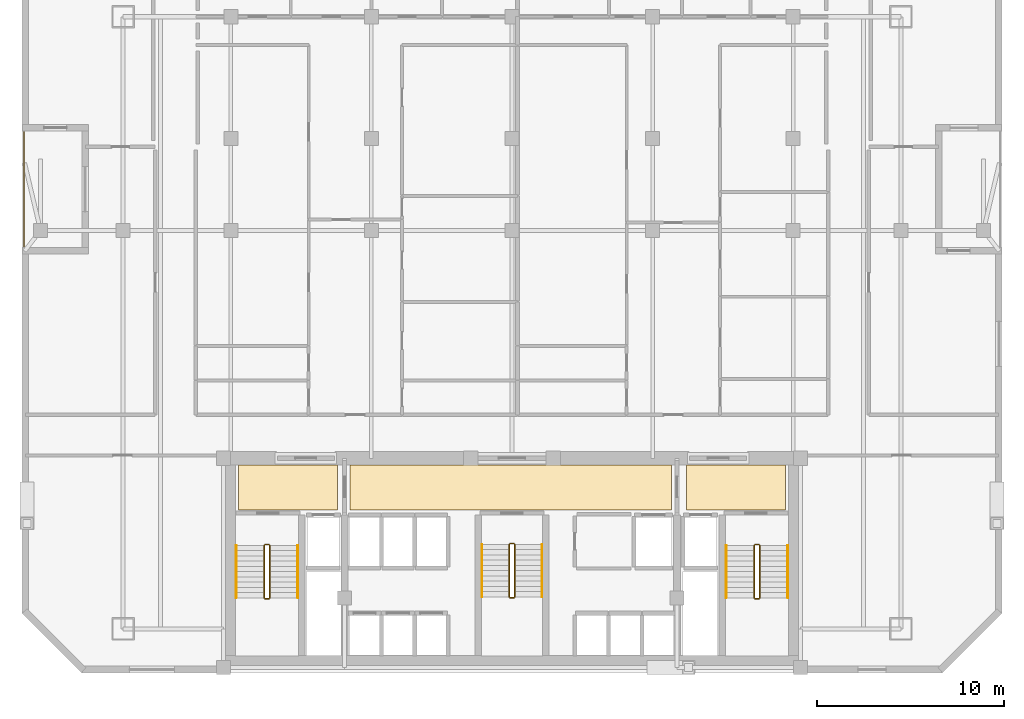
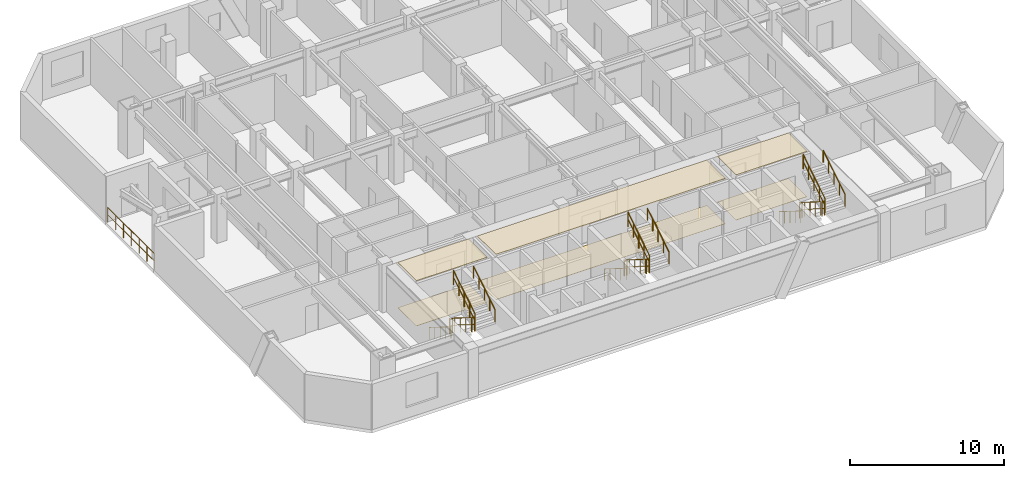
# One storey, part 8 of 9: 19 railings, 6 coverings.
"""IFC4 building model written with IfcOpenShell, lengths in metres."""

import ifcopenshell
import ifcopenshell.guid

model = None  # the IFC model being written
_history = None  # IfcOwnerHistory: only IFC2X3 demands one
_inside = {}  # id of a spatial element -> (the spatial element, [elements in it])
_under = {}  # id of a project, library or spatial element -> (it, [spatial elements below it])
_declared = {}  # id of a project -> (the project, [libraries it declares])
_typed = {}  # id of a type object -> (the type object, [elements of that type])
_made_of = {}  # id of a material, layer set ... -> (it, [elements and type objects made of it])


def new_model(schema):
    """Start an empty IFC model of exactly this schema.

    Asked for "IFC4X3", IfcOpenShell would pick the latest addendum, in which some entities
    have other attributes; the version numbers below select the first issue.
    IFC2X3 requires an IfcOwnerHistory on every rooted entity: one is made here for all.
    """
    global model, _history
    if schema == "IFC4X3":
        model = ifcopenshell.file(schema_version=(4, 3, 0, 0))
    else:
        model = ifcopenshell.file(schema=schema)
    _inside.clear()
    _under.clear()
    _declared.clear()
    _typed.clear()
    _made_of.clear()
    _history = None
    if model.schema == "IFC2X3":
        org = make("IfcOrganization", Name="unknown")
        user = make(
            "IfcPersonAndOrganization",
            ThePerson=make("IfcPerson", FamilyName="unknown"),
            TheOrganization=org,
        )
        app = make(
            "IfcApplication",
            ApplicationDeveloper=org,
            Version="unknown",
            ApplicationFullName="unknown",
            ApplicationIdentifier="unknown",
        )
        _history = make(
            "IfcOwnerHistory",
            OwningUser=user,
            OwningApplication=app,
            ChangeAction="ADDED",
            CreationDate=0,
        )
    return model


def make(cls, **values):
    """One entity of the class cls with the attributes given. An attribute that is None is left unset."""
    return model.create_entity(
        cls, **{name: value for name, value in values.items() if value is not None}
    )


def rooted(cls, **values):
    """An entity with a GlobalId (a new one), such as an element, a storey or a relation."""
    return make(cls, GlobalId=ifcopenshell.guid.new(), OwnerHistory=_history, **values)


def si_unit(unit_type, name, prefix=None):
    """IfcSIUnit, for example si_unit("LENGTHUNIT", "METRE", prefix="MILLI")."""
    return make("IfcSIUnit", UnitType=unit_type, Prefix=prefix, Name=name)


def assignment(units):
    """IfcUnitAssignment: the units of a project."""
    return None if units is None else make("IfcUnitAssignment", Units=units)


def point(xyz):
    """IfcCartesianPoint."""
    return None if xyz is None else make("IfcCartesianPoint", Coordinates=xyz)


def direction(xyz):
    """IfcDirection."""
    return None if xyz is None else make("IfcDirection", DirectionRatios=xyz)


def frame(location, z_axis=None, x_axis=None):
    """IfcAxis2Placement3D, a coordinate frame: its origin and axes. An axis left out is left unset."""
    return make(
        "IfcAxis2Placement3D",
        Location=point(location),
        Axis=direction(z_axis),
        RefDirection=direction(x_axis),
    )


def frame_2d(location, x_axis=None):
    """IfcAxis2Placement2D, a coordinate frame in the plane: its origin and x axis."""
    return make(
        "IfcAxis2Placement2D", Location=point(location), RefDirection=direction(x_axis)
    )


def origin():
    """The frame at (0, 0, 0) with its axes left unset."""
    return frame((0.0, 0.0, 0.0))


def origin_2d():
    """The frame at (0, 0) in the plane with its x axis left unset."""
    return frame_2d((0.0, 0.0))


def place(relative_to, where):
    """IfcLocalPlacement: puts the frame where relative to a parent placement (None: the world)."""
    return make(
        "IfcLocalPlacement", PlacementRelTo=relative_to, RelativePlacement=where
    )


def context(
    kind, dimensions, precision=None, world=None, true_north=None, identifier=None
):
    """IfcGeometricRepresentationContext, for example the 3D "Model" context."""
    return make(
        "IfcGeometricRepresentationContext",
        ContextIdentifier=identifier,
        ContextType=kind,
        CoordinateSpaceDimension=dimensions,
        Precision=precision,
        WorldCoordinateSystem=world,
        TrueNorth=true_north,
    )


def subcontext(parent, identifier, kind, view, scale=None):
    """IfcGeometricRepresentationSubContext, for example "Body" below "Model"."""
    return make(
        "IfcGeometricRepresentationSubContext",
        ContextIdentifier=identifier,
        ContextType=kind,
        ParentContext=parent,
        TargetScale=scale,
        TargetView=view,
    )


def project(units=None, contexts=None):
    """IfcProject with its units and contexts."""
    return rooted(
        "IfcProject",
        Name="project",
        RepresentationContexts=contexts,
        UnitsInContext=assignment(units),
    )


def spatial(cls, under=None, at=None, **own):
    """A site, building, storey or space (cls), placed at a placement, below another one or the project."""
    s = rooted(cls, ObjectPlacement=at, **own)
    if under is not None:
        _under.setdefault(under.id(), (under, []))[1].append(s)
    return s


def polyline(points):
    """IfcPolyline through the points."""
    return make("IfcPolyline", Points=[point(p) for p in points])


def profile(cls, at=None, kind="AREA", **sizes):
    """A parametric profile (cls). Its sizes go by their IFC names, for example OverallWidth=200.0."""
    return make(cls, ProfileType=kind, Position=at, **sizes)


def circle(**sizes):
    """IfcCircleProfileDef."""
    return profile("IfcCircleProfileDef", **sizes)


def outline(outer, holes=None, kind="AREA"):
    """IfcArbitraryClosedProfileDef: a profile drawn as a closed curve; with holes, ...WithVoids."""
    if holes is None:
        return make("IfcArbitraryClosedProfileDef", ProfileType=kind, OuterCurve=outer)
    return make(
        "IfcArbitraryProfileDefWithVoids",
        ProfileType=kind,
        OuterCurve=outer,
        InnerCurves=holes,
    )


def extrude(swept, where, along, depth):
    """IfcExtrudedAreaSolid: the profile swept, set in the frame where, extruded along a direction by depth."""
    return make(
        "IfcExtrudedAreaSolid",
        SweptArea=swept,
        Position=where,
        ExtrudedDirection=direction(along),
        Depth=depth,
    )


def shape(context_of_items, identifier, shape_type, items):
    """IfcShapeRepresentation: the items that make up one representation, for example the "Body"."""
    return make(
        "IfcShapeRepresentation",
        ContextOfItems=context_of_items,
        RepresentationIdentifier=identifier,
        RepresentationType=shape_type,
        Items=items,
    )


def material(Name=None, Category=None):
    """IfcMaterial."""
    return make("IfcMaterial", Name=Name, Category=Category)


def layer(
    of_material, thickness, ventilated=None, Name=None, Category=None, Priority=None
):
    """IfcMaterialLayer: one layer of a wall or slab, of a material (None: an air gap)."""
    return make(
        "IfcMaterialLayer",
        Material=of_material,
        LayerThickness=thickness,
        IsVentilated=ventilated,
        Name=Name,
        Category=Category,
        Priority=Priority,
    )


def layer_set(layers, Name=None):
    """IfcMaterialLayerSet."""
    return make("IfcMaterialLayerSet", MaterialLayers=layers, LayerSetName=Name)


def made_of(thing, what):
    """Note that an element or type object is made of a material, layer set ...; save() writes the relation."""
    if what is not None:
        _made_of.setdefault(what.id(), (what, []))[1].append(thing)
    return thing


def type_object(cls, material=None, **own):
    """A type object (cls), such as IfcWallType, which elements share."""
    return made_of(rooted(cls, **own), material)


def element(
    cls,
    number,
    at=None,
    inside=None,
    cuts=None,
    type_object=None,
    material=None,
    context=None,
    identifier="Body",
    shape_type=None,
    held_by="IfcProductDefinitionShape",
    body=None,
    shapes=None,
    **own,
):
    """One element of the class cls, such as IfcWall. Its Tag is "e" and its number.

    at: its placement. inside: the storey or other place that contains it. cuts: it is an
    opening in that element (IfcRelVoidsElement). A single representation is given by context,
    identifier, shape_type and body (its items); several are given by shapes. held_by: the class
    of the entity that holds the representations. save() writes the other relations.
    """
    e = rooted(cls, Tag="e%d" % number, ObjectPlacement=at, **own)
    if body is not None:
        shapes = [shape(context, identifier, shape_type, body)]
    if shapes is not None:
        e.Representation = make(held_by, Representations=shapes)
    if inside is not None:
        _inside.setdefault(inside.id(), (inside, []))[1].append(e)
    if cuts is not None:
        rooted(
            "IfcRelVoidsElement", RelatingBuildingElement=cuts, RelatedOpeningElement=e
        )
    if type_object is not None:
        _typed.setdefault(type_object.id(), (type_object, []))[1].append(e)
    return made_of(e, material)


def aggregate(whole, parts):
    """IfcRelAggregates: a whole, such as a stair, and the parts it consists of."""
    return rooted("IfcRelAggregates", RelatingObject=whole, RelatedObjects=parts)


def save(model, path):
    """Write the relations noted so far, then the file.

    IfcRelAggregates (storeys below a building ...), IfcRelContainedInSpatialStructure (elements
    in a storey), IfcRelDefinesByType, IfcRelAssociatesMaterial and IfcRelDeclares: one each for
    every whole, place, type object, material and project.
    """
    for whole, parts in _under.values():
        aggregate(whole, parts)
    for where, things in _inside.values():
        rooted(
            "IfcRelContainedInSpatialStructure",
            RelatedElements=things,
            RelatingStructure=where,
        )
    for kind, things in _typed.values():
        rooted("IfcRelDefinesByType", RelatedObjects=things, RelatingType=kind)
    for what, things in _made_of.values():
        rooted("IfcRelAssociatesMaterial", RelatedObjects=things, RelatingMaterial=what)
    for by, libraries in _declared.values():
        rooted("IfcRelDeclares", RelatingContext=by, RelatedDefinitions=libraries)
    model.write(path)


model = new_model("IFC4")

# Units and contexts
model_context = context("Model", 3, precision=1e-05, world=origin(), true_north=direction((0.0, 1.0)))
body_context = subcontext(model_context, "Body", "Model", "MODEL_VIEW")
ifc_project = project(units=[si_unit("LENGTHUNIT", "METRE"), si_unit("AREAUNIT", "SQUARE_METRE"), si_unit("VOLUMEUNIT", "CUBIC_METRE"), si_unit("PLANEANGLEUNIT", "RADIAN"), si_unit("MASSUNIT", "GRAM", prefix="KILO")], contexts=[model_context])

# Site, building, storey
site_placement = place(None, origin())
site = spatial("IfcSite", under=ifc_project, at=site_placement, CompositionType="ELEMENT")
building_placement = place(site_placement, origin())
building = spatial("IfcBuilding", under=site, at=building_placement, Name="Ventersveld Concourse Tower", CompositionType="ELEMENT")
storey_placement = place(building_placement, frame((0.0, 0.0, 108.0)))
storey = spatial("IfcBuildingStorey", under=building, at=storey_placement, Name="L26", CompositionType="ELEMENT", Elevation=108.0)

# Coverings
ifc_material_1 = material(Name="Mineral-fibre acoustic ceiling tile", Category="gypsum")
ifc_layer_1 = layer(ifc_material_1, 0.0400390625)
ifc_layer_set_1 = layer_set([ifc_layer_1], Name="Mineral-fibre acoustic ceiling tile")
covering_type_1 = type_object("IfcCoveringType", Name="COV-CEIL-ACOUSTIC", PredefinedType="CEILING", material=ifc_layer_set_1)
covering_1_placement = place(storey_placement, frame((0.0, 0.0, 3.56005859375)))
element("IfcCovering", 1, at=covering_1_placement, inside=storey, type_object=covering_type_1, Name="L26 North Lift Lobby Acoustic Ceiling", PredefinedType="CEILING", context=body_context, shape_type="SweptSolid", body=[
    extrude(outline(polyline([(20.10009765625, 8.699951171875), (37.25, 8.699951171875), (37.25, 11.10009765625), (20.10009765625, 11.10009765625), (20.10009765625, 8.699951171875)])), origin(), (0.0, 0.0, 1.0), 0.0400390625),
])
covering_2_placement = place(storey_placement, frame((0.0, 0.0, 3.56005859375)))
element("IfcCovering", 2, at=covering_2_placement, inside=storey, type_object=covering_type_1, Name="L26 West Firefighting Lobby Acoustic Ceiling", PredefinedType="CEILING", context=body_context, shape_type="SweptSolid", body=[
    extrude(outline(polyline([(14.14990234375, 8.699951171875), (19.449951171875, 8.699951171875), (19.449951171875, 11.10009765625), (14.14990234375, 11.10009765625), (14.14990234375, 8.699951171875)])), origin(), (0.0, 0.0, 1.0), 0.0400390625),
])
covering_3_placement = place(storey_placement, frame((0.0, 0.0, 3.56005859375)))
element("IfcCovering", 3, at=covering_3_placement, inside=storey, type_object=covering_type_1, Name="L26 East Firefighting Lobby Acoustic Ceiling", PredefinedType="CEILING", context=body_context, shape_type="SweptSolid", body=[
    extrude(outline(polyline([(38.050048828125, 8.699951171875), (43.35009765625, 8.699951171875), (43.35009765625, 11.10009765625), (38.050048828125, 11.10009765625), (38.050048828125, 8.699951171875)])), origin(), (0.0, 0.0, 1.0), 0.0400390625),
])
ifc_material_2 = material(Name="Polished Highveld granite terrazzo", Category="masonry")
ifc_layer_2 = layer(ifc_material_2, 0.02001953125)
ifc_layer_set_2 = layer_set([ifc_layer_2], Name="Polished Highveld granite terrazzo")
covering_type_2 = type_object("IfcCoveringType", Name="COV-FLOOR-TERRAZZO", PredefinedType="FLOORING", material=ifc_layer_set_2)
covering_4_placement = place(storey_placement, origin())
element("IfcCovering", 4, at=covering_4_placement, inside=storey, type_object=covering_type_2, Name="L26 North Lift Lobby Terrazzo Flooring", PredefinedType="FLOORING", context=body_context, shape_type="SweptSolid", body=[
    extrude(outline(polyline([(20.10009765625, 8.699951171875), (37.25, 8.699951171875), (37.25, 11.10009765625), (20.10009765625, 11.10009765625), (20.10009765625, 8.699951171875)])), origin(), (0.0, 0.0, 1.0), 0.02001953125),
])
covering_5_placement = place(storey_placement, origin())
element("IfcCovering", 5, at=covering_5_placement, inside=storey, type_object=covering_type_2, Name="L26 West Firefighting Lobby Terrazzo Flooring", PredefinedType="FLOORING", context=body_context, shape_type="SweptSolid", body=[
    extrude(outline(polyline([(14.14990234375, 8.699951171875), (19.449951171875, 8.699951171875), (19.449951171875, 11.10009765625), (14.14990234375, 11.10009765625), (14.14990234375, 8.699951171875)])), origin(), (0.0, 0.0, 1.0), 0.02001953125),
])
covering_6_placement = place(storey_placement, origin())
element("IfcCovering", 6, at=covering_6_placement, inside=storey, type_object=covering_type_2, Name="L26 East Firefighting Lobby Terrazzo Flooring", PredefinedType="FLOORING", context=body_context, shape_type="SweptSolid", body=[
    extrude(outline(polyline([(38.050048828125, 8.699951171875), (43.35009765625, 8.699951171875), (43.35009765625, 11.10009765625), (38.050048828125, 11.10009765625), (38.050048828125, 8.699951171875)])), origin(), (0.0, 0.0, 1.0), 0.02001953125),
])

# Railings
ifc_material_3 = material(Name="Brushed stainless steel 316", Category="steel")
railing_type_1 = type_object("IfcRailingType", Name="GD-BAL-115", PredefinedType="GUARDRAIL", material=ifc_material_3)
railing_1_placement = place(storey_placement, frame((15.530029296875, 6.800048828125, 0.175048828125)))
element("IfcRailing", 7, at=railing_1_placement, inside=storey, type_object=railing_type_1, Name="L26 ST-01 stair guard 1", PredefinedType="GUARDRAIL", context=body_context, shape_type="SweptSolid", body=[
    extrude(circle(Radius=0.02392578125, at=origin_2d()), frame((0.0, 0.0, 1.1259765625), z_axis=(0.0, -0.848002457836, 0.529992293815), x_axis=(1.0, 0.0, 0.0)), (0.0, 0.0, 1.0), 3.302001953125),
    extrude(circle(Radius=0.01611328125, at=origin_2d()), frame((0.0, 0.0, 0.574951171875), z_axis=(0.0, -0.848002457836, 0.529992293815), x_axis=(1.0, 0.0, 0.0)), (0.0, 0.0, 1.0), 3.302001953125),
    extrude(circle(Radius=0.02099609375, at=origin_2d()), origin(), (0.0, 0.0, 1.0), 1.101806640625),
    extrude(circle(Radius=0.02099609375, at=origin_2d()), frame((0.0, -0.699951171875, 0.4375)), (0.0, 0.0, 1.0), 1.101806640625),
    extrude(circle(Radius=0.02099609375, at=origin_2d()), frame((0.0, -1.39990234375, 0.875)), (0.0, 0.0, 1.0), 1.101806640625),
    extrude(circle(Radius=0.02099609375, at=origin_2d()), frame((0.0, -2.10009765625, 1.3125)), (0.0, 0.0, 1.0), 1.101806640625),
    extrude(circle(Radius=0.02099609375, at=origin_2d()), frame((0.0, -2.800048828125, 1.75)), (0.0, 0.0, 1.0), 1.101806640625),
])
railing_2_placement = place(storey_placement, frame((15.580078125, 3.949951171875, 1.925048828125)))
element("IfcRailing", 8, at=railing_2_placement, inside=storey, type_object=railing_type_1, Name="L26 ST-01 stair guard 2", PredefinedType="GUARDRAIL", context=body_context, shape_type="SweptSolid", body=[
    extrude(circle(Radius=0.02392578125, at=origin_2d()), frame((0.0, 0.0, 1.1259765625), z_axis=(1.0, 0.0, 0.0), x_axis=(0.0, 1.0, 0.0)), (0.0, 0.0, 1.0), 0.199951171875),
    extrude(circle(Radius=0.01611328125, at=origin_2d()), frame((0.0, 0.0, 0.574951171875), z_axis=(1.0, 0.0, 0.0), x_axis=(0.0, 1.0, 0.0)), (0.0, 0.0, 1.0), 0.199951171875),
    extrude(circle(Radius=0.02099609375, at=origin_2d()), origin(), (0.0, 0.0, 1.0), 1.101806640625),
    extrude(circle(Radius=0.02099609375, at=origin_2d()), frame((0.199951171875, 0.0, 0.0)), (0.0, 0.0, 1.0), 1.101806640625),
])
railing_3_placement = place(storey_placement, frame((15.830078125, 4.0, 2.10009765625)))
element("IfcRailing", 9, at=railing_3_placement, inside=storey, type_object=railing_type_1, Name="L26 ST-01 stair guard 3", PredefinedType="GUARDRAIL", context=body_context, shape_type="SweptSolid", body=[
    extrude(circle(Radius=0.02392578125, at=origin_2d()), frame((0.0, 0.0, 1.1259765625), z_axis=(0.0, 0.848002457836, 0.529992293815), x_axis=(-1.0, 0.0, 0.0)), (0.0, 0.0, 1.0), 3.302001953125),
    extrude(circle(Radius=0.01611328125, at=origin_2d()), frame((0.0, 0.0, 0.574951171875), z_axis=(0.0, 0.848002457836, 0.529992293815), x_axis=(-1.0, 0.0, 0.0)), (0.0, 0.0, 1.0), 3.302001953125),
    extrude(circle(Radius=0.02099609375, at=origin_2d()), origin(), (0.0, 0.0, 1.0), 1.101806640625),
    extrude(circle(Radius=0.02099609375, at=origin_2d()), frame((0.0, 0.699951171875, 0.4375)), (0.0, 0.0, 1.0), 1.101806640625),
    extrude(circle(Radius=0.02099609375, at=origin_2d()), frame((0.0, 1.39990234375, 0.875)), (0.0, 0.0, 1.0), 1.101806640625),
    extrude(circle(Radius=0.02099609375, at=origin_2d()), frame((0.0, 2.10009765625, 1.3125)), (0.0, 0.0, 1.0), 1.101806640625),
    extrude(circle(Radius=0.02099609375, at=origin_2d()), frame((0.0, 2.800048828125, 1.75)), (0.0, 0.0, 1.0), 1.101806640625),
])
railing_4_placement = place(storey_placement, frame((15.580078125, 6.85009765625, 0.0)))
element("IfcRailing", 10, at=railing_4_placement, inside=storey, type_object=railing_type_1, Name="L26 ST-01 stair guard 4", PredefinedType="GUARDRAIL", context=body_context, shape_type="SweptSolid", body=[
    extrude(circle(Radius=0.02392578125, at=origin_2d()), frame((0.0, 0.0, 1.1259765625), z_axis=(1.0, 0.0, 0.0), x_axis=(0.0, 1.0, 0.0)), (0.0, 0.0, 1.0), 0.199951171875),
    extrude(circle(Radius=0.01611328125, at=origin_2d()), frame((0.0, 0.0, 0.574951171875), z_axis=(1.0, 0.0, 0.0), x_axis=(0.0, 1.0, 0.0)), (0.0, 0.0, 1.0), 0.199951171875),
    extrude(circle(Radius=0.02099609375, at=origin_2d()), origin(), (0.0, 0.0, 1.0), 1.101806640625),
    extrude(circle(Radius=0.02099609375, at=origin_2d()), frame((0.199951171875, 0.0, 0.0)), (0.0, 0.0, 1.0), 1.101806640625),
])
railing_5_placement = place(storey_placement, frame((41.669921875, 6.800048828125, 0.175048828125)))
element("IfcRailing", 11, at=railing_5_placement, inside=storey, type_object=railing_type_1, Name="L26 ST-02 stair guard 1", PredefinedType="GUARDRAIL", context=body_context, shape_type="SweptSolid", body=[
    extrude(circle(Radius=0.02392578125, at=origin_2d()), frame((0.0, 0.0, 1.1259765625), z_axis=(0.0, -0.848002457836, 0.529992293815), x_axis=(1.0, 0.0, 0.0)), (0.0, 0.0, 1.0), 3.302001953125),
    extrude(circle(Radius=0.01611328125, at=origin_2d()), frame((0.0, 0.0, 0.574951171875), z_axis=(0.0, -0.848002457836, 0.529992293815), x_axis=(1.0, 0.0, 0.0)), (0.0, 0.0, 1.0), 3.302001953125),
    extrude(circle(Radius=0.02099609375, at=origin_2d()), origin(), (0.0, 0.0, 1.0), 1.101806640625),
    extrude(circle(Radius=0.02099609375, at=origin_2d()), frame((0.0, -0.699951171875, 0.4375)), (0.0, 0.0, 1.0), 1.101806640625),
    extrude(circle(Radius=0.02099609375, at=origin_2d()), frame((0.0, -1.39990234375, 0.875)), (0.0, 0.0, 1.0), 1.101806640625),
    extrude(circle(Radius=0.02099609375, at=origin_2d()), frame((0.0, -2.10009765625, 1.3125)), (0.0, 0.0, 1.0), 1.101806640625),
    extrude(circle(Radius=0.02099609375, at=origin_2d()), frame((0.0, -2.800048828125, 1.75)), (0.0, 0.0, 1.0), 1.101806640625),
])
railing_6_placement = place(storey_placement, frame((41.719970703125, 3.949951171875, 1.925048828125)))
element("IfcRailing", 12, at=railing_6_placement, inside=storey, type_object=railing_type_1, Name="L26 ST-02 stair guard 2", PredefinedType="GUARDRAIL", context=body_context, shape_type="SweptSolid", body=[
    extrude(circle(Radius=0.02392578125, at=origin_2d()), frame((0.0, 0.0, 1.1259765625), z_axis=(1.0, 0.0, 0.0), x_axis=(0.0, 1.0, 0.0)), (0.0, 0.0, 1.0), 0.199951171875),
    extrude(circle(Radius=0.01611328125, at=origin_2d()), frame((0.0, 0.0, 0.574951171875), z_axis=(1.0, 0.0, 0.0), x_axis=(0.0, 1.0, 0.0)), (0.0, 0.0, 1.0), 0.199951171875),
    extrude(circle(Radius=0.02099609375, at=origin_2d()), origin(), (0.0, 0.0, 1.0), 1.101806640625),
    extrude(circle(Radius=0.02099609375, at=origin_2d()), frame((0.199951171875, 0.0, 0.0)), (0.0, 0.0, 1.0), 1.101806640625),
])
railing_7_placement = place(storey_placement, frame((41.969970703125, 4.0, 2.10009765625)))
element("IfcRailing", 13, at=railing_7_placement, inside=storey, type_object=railing_type_1, Name="L26 ST-02 stair guard 3", PredefinedType="GUARDRAIL", context=body_context, shape_type="SweptSolid", body=[
    extrude(circle(Radius=0.02392578125, at=origin_2d()), frame((0.0, 0.0, 1.1259765625), z_axis=(0.0, 0.848002457836, 0.529992293815), x_axis=(-1.0, 0.0, 0.0)), (0.0, 0.0, 1.0), 3.302001953125),
    extrude(circle(Radius=0.01611328125, at=origin_2d()), frame((0.0, 0.0, 0.574951171875), z_axis=(0.0, 0.848002457836, 0.529992293815), x_axis=(-1.0, 0.0, 0.0)), (0.0, 0.0, 1.0), 3.302001953125),
    extrude(circle(Radius=0.02099609375, at=origin_2d()), origin(), (0.0, 0.0, 1.0), 1.101806640625),
    extrude(circle(Radius=0.02099609375, at=origin_2d()), frame((0.0, 0.699951171875, 0.4375)), (0.0, 0.0, 1.0), 1.101806640625),
    extrude(circle(Radius=0.02099609375, at=origin_2d()), frame((0.0, 1.39990234375, 0.875)), (0.0, 0.0, 1.0), 1.101806640625),
    extrude(circle(Radius=0.02099609375, at=origin_2d()), frame((0.0, 2.10009765625, 1.3125)), (0.0, 0.0, 1.0), 1.101806640625),
    extrude(circle(Radius=0.02099609375, at=origin_2d()), frame((0.0, 2.800048828125, 1.75)), (0.0, 0.0, 1.0), 1.101806640625),
])
railing_8_placement = place(storey_placement, frame((41.719970703125, 6.85009765625, 0.0)))
element("IfcRailing", 14, at=railing_8_placement, inside=storey, type_object=railing_type_1, Name="L26 ST-02 stair guard 4", PredefinedType="GUARDRAIL", context=body_context, shape_type="SweptSolid", body=[
    extrude(circle(Radius=0.02392578125, at=origin_2d()), frame((0.0, 0.0, 1.1259765625), z_axis=(1.0, 0.0, 0.0), x_axis=(0.0, 1.0, 0.0)), (0.0, 0.0, 1.0), 0.199951171875),
    extrude(circle(Radius=0.01611328125, at=origin_2d()), frame((0.0, 0.0, 0.574951171875), z_axis=(1.0, 0.0, 0.0), x_axis=(0.0, 1.0, 0.0)), (0.0, 0.0, 1.0), 0.199951171875),
    extrude(circle(Radius=0.02099609375, at=origin_2d()), origin(), (0.0, 0.0, 1.0), 1.101806640625),
    extrude(circle(Radius=0.02099609375, at=origin_2d()), frame((0.199951171875, 0.0, 0.0)), (0.0, 0.0, 1.0), 1.101806640625),
])
railing_9_placement = place(storey_placement, frame((28.60009765625, 6.85009765625, 0.175048828125)))
element("IfcRailing", 15, at=railing_9_placement, inside=storey, type_object=railing_type_1, Name="L26 ST-03 stair guard 1", PredefinedType="GUARDRAIL", context=body_context, shape_type="SweptSolid", body=[
    extrude(circle(Radius=0.02392578125, at=origin_2d()), frame((0.0, 0.0, 1.1259765625), z_axis=(0.0, -0.848002457836, 0.529992293815), x_axis=(1.0, 0.0, 0.0)), (0.0, 0.0, 1.0), 3.302001953125),
    extrude(circle(Radius=0.01611328125, at=origin_2d()), frame((0.0, 0.0, 0.574951171875), z_axis=(0.0, -0.848002457836, 0.529992293815), x_axis=(1.0, 0.0, 0.0)), (0.0, 0.0, 1.0), 3.302001953125),
    extrude(circle(Radius=0.02099609375, at=origin_2d()), origin(), (0.0, 0.0, 1.0), 1.101806640625),
    extrude(circle(Radius=0.02099609375, at=origin_2d()), frame((0.0, -0.699951171875, 0.4375)), (0.0, 0.0, 1.0), 1.101806640625),
    extrude(circle(Radius=0.02099609375, at=origin_2d()), frame((0.0, -1.39990234375, 0.875)), (0.0, 0.0, 1.0), 1.101806640625),
    extrude(circle(Radius=0.02099609375, at=origin_2d()), frame((0.0, -2.10009765625, 1.3125)), (0.0, 0.0, 1.0), 1.101806640625),
    extrude(circle(Radius=0.02099609375, at=origin_2d()), frame((0.0, -2.800048828125, 1.75)), (0.0, 0.0, 1.0), 1.101806640625),
])
railing_10_placement = place(storey_placement, frame((28.64990234375, 4.0, 1.925048828125)))
element("IfcRailing", 16, at=railing_10_placement, inside=storey, type_object=railing_type_1, Name="L26 ST-03 stair guard 2", PredefinedType="GUARDRAIL", context=body_context, shape_type="SweptSolid", body=[
    extrude(circle(Radius=0.02392578125, at=origin_2d()), frame((0.0, 0.0, 1.1259765625), z_axis=(1.0, 0.0, 0.0), x_axis=(0.0, 1.0, 0.0)), (0.0, 0.0, 1.0), 0.2001953125),
    extrude(circle(Radius=0.01611328125, at=origin_2d()), frame((0.0, 0.0, 0.574951171875), z_axis=(1.0, 0.0, 0.0), x_axis=(0.0, 1.0, 0.0)), (0.0, 0.0, 1.0), 0.2001953125),
    extrude(circle(Radius=0.02099609375, at=origin_2d()), origin(), (0.0, 0.0, 1.0), 1.101806640625),
    extrude(circle(Radius=0.02099609375, at=origin_2d()), frame((0.2001953125, 0.0, 0.0)), (0.0, 0.0, 1.0), 1.101806640625),
])
railing_11_placement = place(storey_placement, frame((28.89990234375, 4.050048828125, 2.10009765625)))
element("IfcRailing", 17, at=railing_11_placement, inside=storey, type_object=railing_type_1, Name="L26 ST-03 stair guard 3", PredefinedType="GUARDRAIL", context=body_context, shape_type="SweptSolid", body=[
    extrude(circle(Radius=0.02392578125, at=origin_2d()), frame((0.0, 0.0, 1.1259765625), z_axis=(0.0, 0.848002457836, 0.529992293815), x_axis=(-1.0, 0.0, 0.0)), (0.0, 0.0, 1.0), 3.302001953125),
    extrude(circle(Radius=0.01611328125, at=origin_2d()), frame((0.0, 0.0, 0.574951171875), z_axis=(0.0, 0.848002457836, 0.529992293815), x_axis=(-1.0, 0.0, 0.0)), (0.0, 0.0, 1.0), 3.302001953125),
    extrude(circle(Radius=0.02099609375, at=origin_2d()), origin(), (0.0, 0.0, 1.0), 1.101806640625),
    extrude(circle(Radius=0.02099609375, at=origin_2d()), frame((0.0, 0.699951171875, 0.4375)), (0.0, 0.0, 1.0), 1.101806640625),
    extrude(circle(Radius=0.02099609375, at=origin_2d()), frame((0.0, 1.39990234375, 0.875)), (0.0, 0.0, 1.0), 1.101806640625),
    extrude(circle(Radius=0.02099609375, at=origin_2d()), frame((0.0, 2.10009765625, 1.3125)), (0.0, 0.0, 1.0), 1.101806640625),
    extrude(circle(Radius=0.02099609375, at=origin_2d()), frame((0.0, 2.800048828125, 1.75)), (0.0, 0.0, 1.0), 1.101806640625),
])
railing_12_placement = place(storey_placement, frame((28.64990234375, 6.89990234375, 0.0)))
element("IfcRailing", 18, at=railing_12_placement, inside=storey, type_object=railing_type_1, Name="L26 ST-03 stair guard 4", PredefinedType="GUARDRAIL", context=body_context, shape_type="SweptSolid", body=[
    extrude(circle(Radius=0.02392578125, at=origin_2d()), frame((0.0, 0.0, 1.1259765625), z_axis=(1.0, 0.0, 0.0), x_axis=(0.0, 1.0, 0.0)), (0.0, 0.0, 1.0), 0.2001953125),
    extrude(circle(Radius=0.01611328125, at=origin_2d()), frame((0.0, 0.0, 0.574951171875), z_axis=(1.0, 0.0, 0.0), x_axis=(0.0, 1.0, 0.0)), (0.0, 0.0, 1.0), 0.2001953125),
    extrude(circle(Radius=0.02099609375, at=origin_2d()), origin(), (0.0, 0.0, 1.0), 1.101806640625),
    extrude(circle(Radius=0.02099609375, at=origin_2d()), frame((0.2001953125, 0.0, 0.0)), (0.0, 0.0, 1.0), 1.101806640625),
])
railing_type_2 = type_object("IfcRailingType", Name="GD-TER-120", PredefinedType="GUARDRAIL", material=ifc_material_3)
railing_13_placement = place(storey_placement, frame((2.719970703125, 22.75, 0.0)))
element("IfcRailing", 19, at=railing_13_placement, inside=storey, type_object=railing_type_2, Name="L26 Outdoor Terrace Guardrail NOTCH-W", PredefinedType="GUARDRAIL", context=body_context, shape_type="SweptSolid", body=[
    extrude(circle(Radius=0.02392578125, at=origin_2d()), frame((0.0, 0.0, 1.17578125), z_axis=(0.0, 1.0, 0.0), x_axis=(-1.0, 0.0, 0.0)), (0.0, 0.0, 1.0), 6.10009765625),
    extrude(circle(Radius=0.01611328125, at=origin_2d()), frame((0.0, 0.0, 0.60009765625), z_axis=(0.0, 1.0, 0.0), x_axis=(-1.0, 0.0, 0.0)), (0.0, 0.0, 1.0), 6.10009765625),
    extrude(circle(Radius=0.02099609375, at=origin_2d()), origin(), (0.0, 0.0, 1.0), 1.15185546875),
    extrude(circle(Radius=0.02099609375, at=origin_2d()), frame((0.0, 1.0166015625, 0.0)), (0.0, 0.0, 1.0), 1.15185546875),
    extrude(circle(Radius=0.02099609375, at=origin_2d()), frame((0.0, 2.033447265625, 0.0)), (0.0, 0.0, 1.0), 1.15185546875),
    extrude(circle(Radius=0.02099609375, at=origin_2d()), frame((0.0, 3.050048828125, 0.0)), (0.0, 0.0, 1.0), 1.15185546875),
    extrude(circle(Radius=0.02099609375, at=origin_2d()), frame((0.0, 4.066650390625, 0.0)), (0.0, 0.0, 1.0), 1.15185546875),
    extrude(circle(Radius=0.02099609375, at=origin_2d()), frame((0.0, 5.08349609375, 0.0)), (0.0, 0.0, 1.0), 1.15185546875),
    extrude(circle(Radius=0.02099609375, at=origin_2d()), frame((0.0, 6.10009765625, 0.0)), (0.0, 0.0, 1.0), 1.15185546875),
])
railing_type_3 = type_object("IfcRailingType", Name="HR-RMP-095", PredefinedType="HANDRAIL", material=ifc_material_3)
railing_14_placement = place(storey_placement, frame((14.030029296875, 6.800048828125, 0.175048828125)))
element("IfcRailing", 20, at=railing_14_placement, inside=storey, type_object=railing_type_3, Name="L26 ST-01 stair handrail 1", PredefinedType="HANDRAIL", context=body_context, shape_type="SweptSolid", body=[
    extrude(circle(Radius=0.02392578125, at=origin_2d()), frame((0.0, 0.0, 0.92578125), z_axis=(0.0, -0.848002457836, 0.529992293815), x_axis=(1.0, 0.0, 0.0)), (0.0, 0.0, 1.0), 3.302001953125),
    extrude(circle(Radius=0.02099609375, at=origin_2d()), origin(), (0.0, 0.0, 1.0), 0.90185546875),
    extrude(circle(Radius=0.02099609375, at=origin_2d()), frame((0.0, -0.699951171875, 0.4375)), (0.0, 0.0, 1.0), 0.90185546875),
    extrude(circle(Radius=0.02099609375, at=origin_2d()), frame((0.0, -1.39990234375, 0.875)), (0.0, 0.0, 1.0), 0.90185546875),
    extrude(circle(Radius=0.02099609375, at=origin_2d()), frame((0.0, -2.10009765625, 1.3125)), (0.0, 0.0, 1.0), 0.90185546875),
    extrude(circle(Radius=0.02099609375, at=origin_2d()), frame((0.0, -2.800048828125, 1.75)), (0.0, 0.0, 1.0), 0.90185546875),
])
railing_15_placement = place(storey_placement, frame((17.330078125, 4.0, 2.10009765625)))
element("IfcRailing", 21, at=railing_15_placement, inside=storey, type_object=railing_type_3, Name="L26 ST-01 stair handrail 2", PredefinedType="HANDRAIL", context=body_context, shape_type="SweptSolid", body=[
    extrude(circle(Radius=0.02392578125, at=origin_2d()), frame((0.0, 0.0, 0.92578125), z_axis=(0.0, 0.848002457836, 0.529992293815), x_axis=(-1.0, 0.0, 0.0)), (0.0, 0.0, 1.0), 3.302001953125),
    extrude(circle(Radius=0.02099609375, at=origin_2d()), origin(), (0.0, 0.0, 1.0), 0.90185546875),
    extrude(circle(Radius=0.02099609375, at=origin_2d()), frame((0.0, 0.699951171875, 0.4375)), (0.0, 0.0, 1.0), 0.90185546875),
    extrude(circle(Radius=0.02099609375, at=origin_2d()), frame((0.0, 1.39990234375, 0.875)), (0.0, 0.0, 1.0), 0.90185546875),
    extrude(circle(Radius=0.02099609375, at=origin_2d()), frame((0.0, 2.10009765625, 1.3125)), (0.0, 0.0, 1.0), 0.90185546875),
    extrude(circle(Radius=0.02099609375, at=origin_2d()), frame((0.0, 2.800048828125, 1.75)), (0.0, 0.0, 1.0), 0.90185546875),
])
railing_16_placement = place(storey_placement, frame((40.169921875, 6.800048828125, 0.175048828125)))
element("IfcRailing", 22, at=railing_16_placement, inside=storey, type_object=railing_type_3, Name="L26 ST-02 stair handrail 1", PredefinedType="HANDRAIL", context=body_context, shape_type="SweptSolid", body=[
    extrude(circle(Radius=0.02392578125, at=origin_2d()), frame((0.0, 0.0, 0.92578125), z_axis=(0.0, -0.848002457836, 0.529992293815), x_axis=(1.0, 0.0, 0.0)), (0.0, 0.0, 1.0), 3.302001953125),
    extrude(circle(Radius=0.02099609375, at=origin_2d()), origin(), (0.0, 0.0, 1.0), 0.90185546875),
    extrude(circle(Radius=0.02099609375, at=origin_2d()), frame((0.0, -0.699951171875, 0.4375)), (0.0, 0.0, 1.0), 0.90185546875),
    extrude(circle(Radius=0.02099609375, at=origin_2d()), frame((0.0, -1.39990234375, 0.875)), (0.0, 0.0, 1.0), 0.90185546875),
    extrude(circle(Radius=0.02099609375, at=origin_2d()), frame((0.0, -2.10009765625, 1.3125)), (0.0, 0.0, 1.0), 0.90185546875),
    extrude(circle(Radius=0.02099609375, at=origin_2d()), frame((0.0, -2.800048828125, 1.75)), (0.0, 0.0, 1.0), 0.90185546875),
])
railing_17_placement = place(storey_placement, frame((43.469970703125, 4.0, 2.10009765625)))
element("IfcRailing", 23, at=railing_17_placement, inside=storey, type_object=railing_type_3, Name="L26 ST-02 stair handrail 2", PredefinedType="HANDRAIL", context=body_context, shape_type="SweptSolid", body=[
    extrude(circle(Radius=0.02392578125, at=origin_2d()), frame((0.0, 0.0, 0.92578125), z_axis=(0.0, 0.848002457836, 0.529992293815), x_axis=(-1.0, 0.0, 0.0)), (0.0, 0.0, 1.0), 3.302001953125),
    extrude(circle(Radius=0.02099609375, at=origin_2d()), origin(), (0.0, 0.0, 1.0), 0.90185546875),
    extrude(circle(Radius=0.02099609375, at=origin_2d()), frame((0.0, 0.699951171875, 0.4375)), (0.0, 0.0, 1.0), 0.90185546875),
    extrude(circle(Radius=0.02099609375, at=origin_2d()), frame((0.0, 1.39990234375, 0.875)), (0.0, 0.0, 1.0), 0.90185546875),
    extrude(circle(Radius=0.02099609375, at=origin_2d()), frame((0.0, 2.10009765625, 1.3125)), (0.0, 0.0, 1.0), 0.90185546875),
    extrude(circle(Radius=0.02099609375, at=origin_2d()), frame((0.0, 2.800048828125, 1.75)), (0.0, 0.0, 1.0), 0.90185546875),
])
railing_18_placement = place(storey_placement, frame((27.14990234375, 6.85009765625, 0.175048828125)))
element("IfcRailing", 24, at=railing_18_placement, inside=storey, type_object=railing_type_3, Name="L26 ST-03 stair handrail 1", PredefinedType="HANDRAIL", context=body_context, shape_type="SweptSolid", body=[
    extrude(circle(Radius=0.02392578125, at=origin_2d()), frame((0.0, 0.0, 0.92578125), z_axis=(0.0, -0.848002457836, 0.529992293815), x_axis=(1.0, 0.0, 0.0)), (0.0, 0.0, 1.0), 3.302001953125),
    extrude(circle(Radius=0.02099609375, at=origin_2d()), origin(), (0.0, 0.0, 1.0), 0.90185546875),
    extrude(circle(Radius=0.02099609375, at=origin_2d()), frame((0.0, -0.699951171875, 0.4375)), (0.0, 0.0, 1.0), 0.90185546875),
    extrude(circle(Radius=0.02099609375, at=origin_2d()), frame((0.0, -1.39990234375, 0.875)), (0.0, 0.0, 1.0), 0.90185546875),
    extrude(circle(Radius=0.02099609375, at=origin_2d()), frame((0.0, -2.10009765625, 1.3125)), (0.0, 0.0, 1.0), 0.90185546875),
    extrude(circle(Radius=0.02099609375, at=origin_2d()), frame((0.0, -2.800048828125, 1.75)), (0.0, 0.0, 1.0), 0.90185546875),
])
railing_19_placement = place(storey_placement, frame((30.35009765625, 4.050048828125, 2.10009765625)))
element("IfcRailing", 25, at=railing_19_placement, inside=storey, type_object=railing_type_3, Name="L26 ST-03 stair handrail 2", PredefinedType="HANDRAIL", context=body_context, shape_type="SweptSolid", body=[
    extrude(circle(Radius=0.02392578125, at=origin_2d()), frame((0.0, 0.0, 0.92578125), z_axis=(0.0, 0.848002457836, 0.529992293815), x_axis=(-1.0, 0.0, 0.0)), (0.0, 0.0, 1.0), 3.302001953125),
    extrude(circle(Radius=0.02099609375, at=origin_2d()), origin(), (0.0, 0.0, 1.0), 0.90185546875),
    extrude(circle(Radius=0.02099609375, at=origin_2d()), frame((0.0, 0.699951171875, 0.4375)), (0.0, 0.0, 1.0), 0.90185546875),
    extrude(circle(Radius=0.02099609375, at=origin_2d()), frame((0.0, 1.39990234375, 0.875)), (0.0, 0.0, 1.0), 0.90185546875),
    extrude(circle(Radius=0.02099609375, at=origin_2d()), frame((0.0, 2.10009765625, 1.3125)), (0.0, 0.0, 1.0), 0.90185546875),
    extrude(circle(Radius=0.02099609375, at=origin_2d()), frame((0.0, 2.800048828125, 1.75)), (0.0, 0.0, 1.0), 0.90185546875),
])

save(model, "model.ifc")
